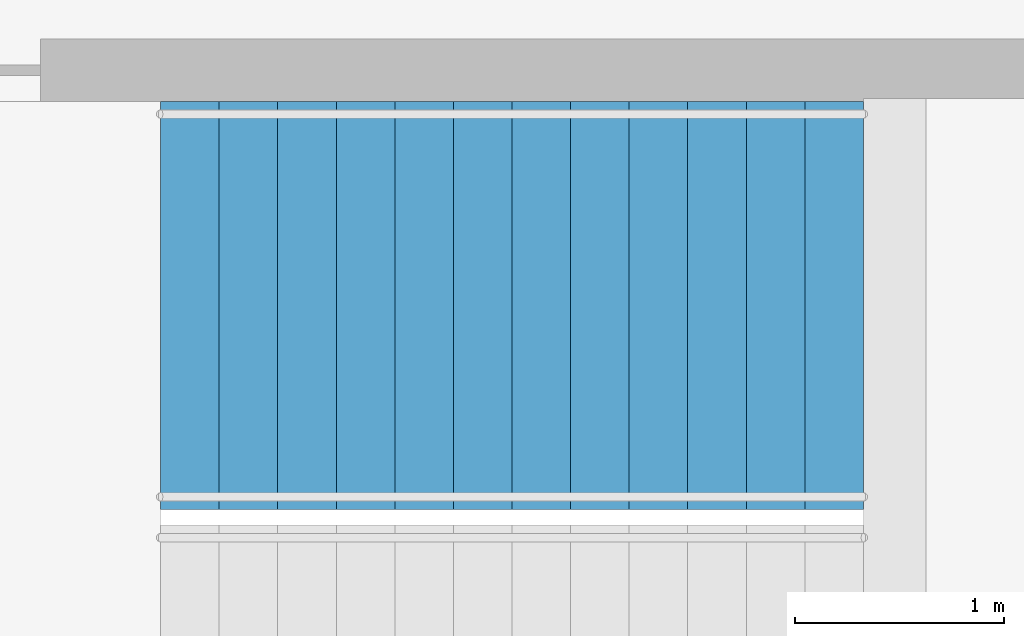
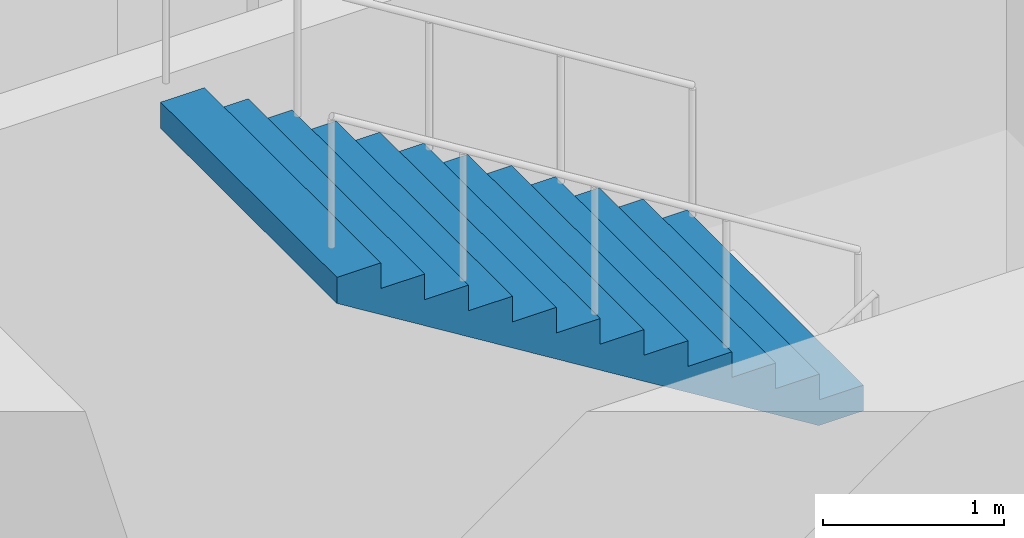
# One storey, part 19 of 31: 1 stair flight, 1 element without a shape of its own.
"""IFC4 building model written with IfcOpenShell, lengths in metres."""

from ifc_helpers import new_model, si_unit, direction, frame, origin, place, context, subcontext, project, spatial, triangles, material, type_object, element, aggregate, save


model = new_model("IFC4")

# Units and contexts
model_context = context("Model", 3, precision=1e-05, world=origin(), true_north=direction((0.0, 1.0)))
body_context = subcontext(model_context, "Body", "Model", "MODEL_VIEW")
ifc_project = project(units=[si_unit("LENGTHUNIT", "METRE"), si_unit("AREAUNIT", "SQUARE_METRE"), si_unit("VOLUMEUNIT", "CUBIC_METRE"), si_unit("PLANEANGLEUNIT", "RADIAN"), si_unit("MASSUNIT", "GRAM", prefix="KILO")], contexts=[model_context])

# Site, building, storey
site_placement = place(None, origin())
site = spatial("IfcSite", under=ifc_project, at=site_placement, CompositionType="ELEMENT")
building_placement = place(site_placement, origin())
building = spatial("IfcBuilding", under=site, at=building_placement, Name="Orbita Commons", CompositionType="ELEMENT")
storey_placement = place(building_placement, frame((0.0, 0.0, 76.14990234375)))
storey = spatial("IfcBuildingStorey", under=building, at=storey_placement, Name="L18", CompositionType="ELEMENT", Elevation=76.14990234375)

# Stair, stair flight
ifc_material_1 = material(Name="Precast concrete C40/50", Category="concrete")
stair_type = type_object("IfcStairType", Name="Exit stair S1 2 flights 13 risers 173", PredefinedType="HALF_TURN_STAIR", material=ifc_material_1)
stair_placement = place(storey_placement, origin())
stair = element("IfcStair", 1, at=stair_placement, inside=storey, type_object=stair_type, Name="Exit stair S1 L18", PredefinedType="HALF_TURN_STAIR")
ifc_material_2 = material(Name="Precast concrete C40/50", Category="concrete")
stair_flight_type = type_object("IfcStairFlightType", Name="Stair flight 13 risers 173 x 280", PredefinedType="STRAIGHT", material=ifc_material_2)
stair_flight_placement = place(storey_placement, frame((23.81005859375, 29.27490234375, 2.25), z_axis=(0.0, 0.0, 1.0), x_axis=(-1.0, 0.0, 0.0)))
stair_flight = element("IfcStairFlight", 2, at=stair_flight_placement, type_object=stair_flight_type, Name="S1 flight 2", NumberOfRisers=13, NumberOfTreads=12, PredefinedType="STRAIGHT", RiserHeight=0.173076923, TreadLength=0.28, context=body_context, shape_type="Tessellation", body=[
    triangles([(0.0, 0.974976, 0.0), (0.0, 0.974976, 0.021635), (0.0, 0.81248, 0.021635), (0.0, 0.81248, 0.0), (0.0, 0.649984, 0.021635), (0.0, 0.649984, 0.0), (0.0, 0.487488, 0.021635), (0.0, 0.487488, 0.0), (0.0, 0.324992, 0.021635), (0.0, 0.324992, 0.0), (0.0, 0.162496, 0.021635), (0.0, 0.162496, 0.0), (0.0, 0.0, 0.021635), (0.0, 0.0, 0.0), (0.0, -0.162496, 0.021635), (0.0, -0.162496, 0.0), (0.0, -0.324992, 0.021635), (0.0, -0.324992, 0.0), (0.0, -0.487488, 0.021635), (0.0, -0.487488, 0.0), (0.0, -0.649984, 0.021635), (0.0, -0.649984, 0.0), (0.0, -0.81248, 0.021635), (0.0, -0.81248, 0.0), (0.0, -0.974976, 0.021635), (0.0, -0.974976, 0.0), (0.0, 0.974976, 0.043269), (0.0, 0.81248, 0.043269), (0.0, 0.649984, 0.043269), (0.0, 0.487488, 0.043269), (0.0, 0.324992, 0.043269), (0.0, 0.162496, 0.043269), (0.0, 0.0, 0.043269), (0.0, -0.162496, 0.043269), (0.0, -0.324992, 0.043269), (0.0, -0.487488, 0.043269), (0.0, -0.649984, 0.043269), (0.0, -0.81248, 0.043269), (0.0, -0.974976, 0.043269), (0.0, 0.974976, 0.064904), (0.0, 0.81248, 0.064904), (0.0, 0.649984, 0.064904), (0.0, 0.487488, 0.064904), (0.0, 0.324992, 0.064904), (0.0, 0.162496, 0.064904), (0.0, 0.0, 0.064904), (0.0, -0.162496, 0.064904), (0.0, -0.324992, 0.064904), (0.0, -0.487488, 0.064904), (0.0, -0.649984, 0.064904), (0.0, -0.81248, 0.064904), (0.0, -0.974976, 0.064904), (0.0, 0.974976, 0.086538), (0.0, 0.81248, 0.086538), (0.0, 0.649984, 0.086538), (0.0, 0.487488, 0.086538), (0.0, 0.324992, 0.086538), (0.0, 0.162496, 0.086538), (0.0, 0.0, 0.086538), (0.0, -0.162496, 0.086538), (0.0, -0.324992, 0.086538), (0.0, -0.487488, 0.086538), (0.0, -0.649984, 0.086538), (0.0, -0.81248, 0.086538), (0.0, -0.974976, 0.086538), (0.0, 0.974976, 0.108173), (0.0, 0.81248, 0.108173), (0.0, 0.649984, 0.108173), (0.0, 0.487488, 0.108173), (0.0, 0.324992, 0.108173), (0.0, 0.162496, 0.108173), (0.0, 0.0, 0.108173), (0.0, -0.162496, 0.108173), (0.0, -0.324992, 0.108173), (0.0, -0.487488, 0.108173), (0.0, -0.649984, 0.108173), (0.0, -0.81248, 0.108173), (0.0, -0.974976, 0.108173), (0.0, 0.974976, 0.129808), (0.0, 0.81248, 0.129808), (0.0, 0.649984, 0.129808), (0.0, 0.487488, 0.129808), (0.0, 0.324992, 0.129808), (0.0, 0.162496, 0.129808), (0.0, 0.0, 0.129808), (0.0, -0.162496, 0.129808), (0.0, -0.324992, 0.129808), (0.0, -0.487488, 0.129808), (0.0, -0.649984, 0.129808), (0.0, -0.81248, 0.129808), (0.0, -0.974976, 0.129808), (0.0, 0.974976, 0.151442), (0.0, 0.81248, 0.151442), (0.0, 0.649984, 0.151442), (0.0, 0.487488, 0.151442), (0.0, 0.324992, 0.151442), (0.0, 0.162496, 0.151442), (0.0, 0.0, 0.151442), (0.0, -0.162496, 0.151442), (0.0, -0.324992, 0.151442), (0.0, -0.487488, 0.151442), (0.0, -0.649984, 0.151442), (0.0, -0.81248, 0.151442), (0.0, -0.974976, 0.151442), (0.0, 0.974976, 0.173077), (0.0, 0.81248, 0.173077), (0.0, 0.649984, 0.173077), (0.0, 0.487488, 0.173077), (0.0, 0.324992, 0.173077), (0.0, 0.162496, 0.173077), (0.0, 0.0, 0.173077), (0.0, -0.162496, 0.173077), (0.0, -0.324992, 0.173077), (0.0, -0.487488, 0.173077), (0.0, -0.649984, 0.173077), (0.0, -0.81248, 0.173077), (0.0, -0.974976, 0.173077), (0.28, 0.974976, 0.173077), (0.28, 0.81248, 0.173077), (0.28, 0.649984, 0.173077), (0.28, 0.487488, 0.173077), (0.28, 0.324992, 0.173077), (0.28, 0.162496, 0.173077), (0.28, 0.0, 0.173077), (0.28, -0.162496, 0.173077), (0.28, -0.324992, 0.173077), (0.28, -0.487488, 0.173077), (0.28, -0.649984, 0.173077), (0.28, -0.81248, 0.173077), (0.28, -0.974976, 0.173077), (0.28, 0.974976, 0.346154), (0.28, 0.81248, 0.346154), (0.28, 0.649984, 0.346154), (0.28, 0.487488, 0.346154), (0.28, 0.324992, 0.346154), (0.28, 0.162496, 0.346154), (0.28, 0.0, 0.346154), (0.28, -0.162496, 0.346154), (0.28, -0.324992, 0.346154), (0.28, -0.487488, 0.346154), (0.28, -0.649984, 0.346154), (0.28, -0.81248, 0.346154), (0.28, -0.974976, 0.346154), (0.56, 0.974976, 0.346154), (0.56, 0.81248, 0.346154), (0.56, 0.649984, 0.346154), (0.56, 0.487488, 0.346154), (0.56, 0.324992, 0.346154), (0.56, 0.162496, 0.346154), (0.56, 0.0, 0.346154), (0.56, -0.162496, 0.346154), (0.56, -0.324992, 0.346154), (0.56, -0.487488, 0.346154), (0.56, -0.649984, 0.346154), (0.56, -0.81248, 0.346154), (0.56, -0.974976, 0.346154), (0.56, 0.974976, 0.519231), (0.56, 0.81248, 0.519231), (0.56, 0.649984, 0.519231), (0.56, 0.487488, 0.519231), (0.56, 0.324992, 0.519231), (0.56, 0.162496, 0.519231), (0.56, 0.0, 0.519231), (0.56, -0.162496, 0.519231), (0.56, -0.324992, 0.519231), (0.56, -0.487488, 0.519231), (0.56, -0.649984, 0.519231), (0.56, -0.81248, 0.519231), (0.56, -0.974976, 0.519231), (0.84, 0.974976, 0.519231), (0.84, 0.81248, 0.519231), (0.84, 0.649984, 0.519231), (0.84, 0.487488, 0.519231), (0.84, 0.324992, 0.519231), (0.84, 0.162496, 0.519231), (0.84, 0.0, 0.519231), (0.84, -0.162496, 0.519231), (0.84, -0.324992, 0.519231), (0.84, -0.487488, 0.519231), (0.84, -0.649984, 0.519231), (0.84, -0.81248, 0.519231), (0.84, -0.974976, 0.519231), (0.84, 0.974976, 0.692308), (0.84, 0.81248, 0.692308), (0.84, 0.649984, 0.692308), (0.84, 0.487488, 0.692308), (0.84, 0.324992, 0.692308), (0.84, 0.162496, 0.692308), (0.84, 0.0, 0.692308), (0.84, -0.162496, 0.692308), (0.84, -0.324992, 0.692308), (0.84, -0.487488, 0.692308), (0.84, -0.649984, 0.692308), (0.84, -0.81248, 0.692308), (0.84, -0.974976, 0.692308), (1.12, 0.974976, 0.692308), (1.12, 0.81248, 0.692308), (1.12, 0.649984, 0.692308), (1.12, 0.487488, 0.692308), (1.12, 0.324992, 0.692308), (1.12, 0.162496, 0.692308), (1.12, 0.0, 0.692308), (1.12, -0.162496, 0.692308), (1.12, -0.324992, 0.692308), (1.12, -0.487488, 0.692308), (1.12, -0.649984, 0.692308), (1.12, -0.81248, 0.692308), (1.12, -0.974976, 0.692308), (1.12, 0.974976, 0.865385), (1.12, 0.81248, 0.865385), (1.12, 0.649984, 0.865385), (1.12, 0.487488, 0.865385), (1.12, 0.324992, 0.865385), (1.12, 0.162496, 0.865385), (1.12, 0.0, 0.865385), (1.12, -0.162496, 0.865385), (1.12, -0.324992, 0.865385), (1.12, -0.487488, 0.865385), (1.12, -0.649984, 0.865385), (1.12, -0.81248, 0.865385), (1.12, -0.974976, 0.865385), (1.4, 0.974976, 0.865385), (1.4, 0.81248, 0.865385), (1.4, 0.649984, 0.865385), (1.4, 0.487488, 0.865385), (1.4, 0.324992, 0.865385), (1.4, 0.162496, 0.865385), (1.4, 0.0, 0.865385), (1.4, -0.162496, 0.865385), (1.4, -0.324992, 0.865385), (1.4, -0.487488, 0.865385), (1.4, -0.649984, 0.865385), (1.4, -0.81248, 0.865385), (1.4, -0.974976, 0.865385), (1.4, 0.974976, 1.038462), (1.4, 0.81248, 1.038462), (1.4, 0.649984, 1.038462), (1.4, 0.487488, 1.038462), (1.4, 0.324992, 1.038462), (1.4, 0.162496, 1.038462), (1.4, 0.0, 1.038462), (1.4, -0.162496, 1.038462), (1.4, -0.324992, 1.038462), (1.4, -0.487488, 1.038462), (1.4, -0.649984, 1.038462), (1.4, -0.81248, 1.038462), (1.4, -0.974976, 1.038462), (1.68, 0.974976, 1.038462), (1.68, 0.81248, 1.038462), (1.68, 0.649984, 1.038462), (1.68, 0.487488, 1.038462), (1.68, 0.324992, 1.038462), (1.68, 0.162496, 1.038462), (1.68, 0.0, 1.038462), (1.68, -0.162496, 1.038462), (1.68, -0.324992, 1.038462), (1.68, -0.487488, 1.038462), (1.68, -0.649984, 1.038462), (1.68, -0.81248, 1.038462), (1.68, -0.974976, 1.038462), (1.68, 0.974976, 1.211538), (1.68, 0.81248, 1.211538), (1.68, 0.649984, 1.211538), (1.68, 0.487488, 1.211538), (1.68, 0.324992, 1.211538), (1.68, 0.162496, 1.211538), (1.68, 0.0, 1.211538), (1.68, -0.162496, 1.211538), (1.68, -0.324992, 1.211538), (1.68, -0.487488, 1.211538), (1.68, -0.649984, 1.211538), (1.68, -0.81248, 1.211538), (1.68, -0.974976, 1.211538), (1.96, 0.974976, 1.211538), (1.96, 0.81248, 1.211538), (1.96, 0.649984, 1.211538), (1.96, 0.487488, 1.211538), (1.96, 0.324992, 1.211538), (1.96, 0.162496, 1.211538), (1.96, 0.0, 1.211538), (1.96, -0.162496, 1.211538), (1.96, -0.324992, 1.211538), (1.96, -0.487488, 1.211538), (1.96, -0.649984, 1.211538), (1.96, -0.81248, 1.211538), (1.96, -0.974976, 1.211538), (1.96, 0.974976, 1.384615), (1.96, 0.81248, 1.384615), (1.96, 0.649984, 1.384615), (1.96, 0.487488, 1.384615), (1.96, 0.324992, 1.384615), (1.96, 0.162496, 1.384615), (1.96, 0.0, 1.384615), (1.96, -0.162496, 1.384615), (1.96, -0.324992, 1.384615), (1.96, -0.487488, 1.384615), (1.96, -0.649984, 1.384615), (1.96, -0.81248, 1.384615), (1.96, -0.974976, 1.384615), (2.24, 0.974976, 1.384615), (2.24, 0.81248, 1.384615), (2.24, 0.649984, 1.384615), (2.24, 0.487488, 1.384615), (2.24, 0.324992, 1.384615), (2.24, 0.162496, 1.384615), (2.24, 0.0, 1.384615), (2.24, -0.162496, 1.384615), (2.24, -0.324992, 1.384615), (2.24, -0.487488, 1.384615), (2.24, -0.649984, 1.384615), (2.24, -0.81248, 1.384615), (2.24, -0.974976, 1.384615), (2.24, 0.974976, 1.557692), (2.24, 0.81248, 1.557692), (2.24, 0.649984, 1.557692), (2.24, 0.487488, 1.557692), (2.24, 0.324992, 1.557692), (2.24, 0.162496, 1.557692), (2.24, 0.0, 1.557692), (2.24, -0.162496, 1.557692), (2.24, -0.324992, 1.557692), (2.24, -0.487488, 1.557692), (2.24, -0.649984, 1.557692), (2.24, -0.81248, 1.557692), (2.24, -0.974976, 1.557692), (2.52, 0.974976, 1.557692), (2.52, 0.81248, 1.557692), (2.52, 0.649984, 1.557692), (2.52, 0.487488, 1.557692), (2.52, 0.324992, 1.557692), (2.52, 0.162496, 1.557692), (2.52, 0.0, 1.557692), (2.52, -0.162496, 1.557692), (2.52, -0.324992, 1.557692), (2.52, -0.487488, 1.557692), (2.52, -0.649984, 1.557692), (2.52, -0.81248, 1.557692), (2.52, -0.974976, 1.557692), (2.52, 0.974976, 1.730769), (2.52, 0.81248, 1.730769), (2.52, 0.649984, 1.730769), (2.52, 0.487488, 1.730769), (2.52, 0.324992, 1.730769), (2.52, 0.162496, 1.730769), (2.52, 0.0, 1.730769), (2.52, -0.162496, 1.730769), (2.52, -0.324992, 1.730769), (2.52, -0.487488, 1.730769), (2.52, -0.649984, 1.730769), (2.52, -0.81248, 1.730769), (2.52, -0.974976, 1.730769), (2.8, 0.974976, 1.730769), (2.8, 0.81248, 1.730769), (2.8, 0.649984, 1.730769), (2.8, 0.487488, 1.730769), (2.8, 0.324992, 1.730769), (2.8, 0.162496, 1.730769), (2.8, 0.0, 1.730769), (2.8, -0.162496, 1.730769), (2.8, -0.324992, 1.730769), (2.8, -0.487488, 1.730769), (2.8, -0.649984, 1.730769), (2.8, -0.81248, 1.730769), (2.8, -0.974976, 1.730769), (2.8, 0.974976, 1.903846), (2.8, 0.81248, 1.903846), (2.8, 0.649984, 1.903846), (2.8, 0.487488, 1.903846), (2.8, 0.324992, 1.903846), (2.8, 0.162496, 1.903846), (2.8, 0.0, 1.903846), (2.8, -0.162496, 1.903846), (2.8, -0.324992, 1.903846), (2.8, -0.487488, 1.903846), (2.8, -0.649984, 1.903846), (2.8, -0.81248, 1.903846), (2.8, -0.974976, 1.903846), (3.08, 0.974976, 1.903846), (3.08, 0.81248, 1.903846), (3.08, 0.649984, 1.903846), (3.08, 0.487488, 1.903846), (3.08, 0.324992, 1.903846), (3.08, 0.162496, 1.903846), (3.08, 0.0, 1.903846), (3.08, -0.162496, 1.903846), (3.08, -0.324992, 1.903846), (3.08, -0.487488, 1.903846), (3.08, -0.649984, 1.903846), (3.08, -0.81248, 1.903846), (3.08, -0.974976, 1.903846), (3.08, 0.974976, 2.076923), (3.08, 0.81248, 2.076923), (3.08, 0.649984, 2.076923), (3.08, 0.487488, 2.076923), (3.08, 0.324992, 2.076923), (3.08, 0.162496, 2.076923), (3.08, 0.0, 2.076923), (3.08, -0.162496, 2.076923), (3.08, -0.324992, 2.076923), (3.08, -0.487488, 2.076923), (3.08, -0.649984, 2.076923), (3.08, -0.81248, 2.076923), (3.08, -0.974976, 2.076923), (3.36, 0.974976, 2.076923), (3.36, 0.81248, 2.076923), (3.36, 0.649984, 2.076923), (3.36, 0.487488, 2.076923), (3.36, 0.324992, 2.076923), (3.36, 0.162496, 2.076923), (3.36, 0.0, 2.076923), (3.36, -0.162496, 2.076923), (3.36, -0.324992, 2.076923), (3.36, -0.487488, 2.076923), (3.36, -0.649984, 2.076923), (3.36, -0.81248, 2.076923), (3.36, -0.974976, 2.076923), (3.36, 0.974976, 2.054895), (3.36, 0.81248, 2.054895), (3.36, 0.649984, 2.054895), (3.36, 0.487488, 2.054895), (3.36, 0.324992, 2.054895), (3.36, 0.162496, 2.054895), (3.36, 0.0, 2.054895), (3.36, -0.162496, 2.054895), (3.36, -0.324992, 2.054895), (3.36, -0.487488, 2.054895), (3.36, -0.649984, 2.054895), (3.36, -0.81248, 2.054895), (3.36, -0.974976, 2.054895), (3.36, 0.974976, 2.032866), (3.36, 0.81248, 2.032866), (3.36, 0.649984, 2.032866), (3.36, 0.487488, 2.032866), (3.36, 0.324992, 2.032866), (3.36, 0.162496, 2.032866), (3.36, 0.0, 2.032866), (3.36, -0.162496, 2.032866), (3.36, -0.324992, 2.032866), (3.36, -0.487488, 2.032866), (3.36, -0.649984, 2.032866), (3.36, -0.81248, 2.032866), (3.36, -0.974976, 2.032866), (3.36, 0.974976, 2.010837), (3.36, 0.81248, 2.010837), (3.36, 0.649984, 2.010837), (3.36, 0.487488, 2.010837), (3.36, 0.324992, 2.010837), (3.36, 0.162496, 2.010837), (3.36, 0.0, 2.010837), (3.36, -0.162496, 2.010837), (3.36, -0.324992, 2.010837), (3.36, -0.487488, 2.010837), (3.36, -0.649984, 2.010837), (3.36, -0.81248, 2.010837), (3.36, -0.974976, 2.010837), (3.36, 0.974976, 1.988809), (3.36, 0.81248, 1.988809), (3.36, 0.649984, 1.988809), (3.36, 0.487488, 1.988809), (3.36, 0.324992, 1.988809), (3.36, 0.162496, 1.988809), (3.36, 0.0, 1.988809), (3.36, -0.162496, 1.988809), (3.36, -0.324992, 1.988809), (3.36, -0.487488, 1.988809), (3.36, -0.649984, 1.988809), (3.36, -0.81248, 1.988809), (3.36, -0.974976, 1.988809), (3.36, 0.974976, 1.96678), (3.36, 0.81248, 1.96678), (3.36, 0.649984, 1.96678), (3.36, 0.487488, 1.96678), (3.36, 0.324992, 1.96678), (3.36, 0.162496, 1.96678), (3.36, 0.0, 1.96678), (3.36, -0.162496, 1.96678), (3.36, -0.324992, 1.96678), (3.36, -0.487488, 1.96678), (3.36, -0.649984, 1.96678), (3.36, -0.81248, 1.96678), (3.36, -0.974976, 1.96678), (3.36, 0.974976, 1.944752), (3.36, 0.81248, 1.944752), (3.36, 0.649984, 1.944752), (3.36, 0.487488, 1.944752), (3.36, 0.324992, 1.944752), (3.36, 0.162496, 1.944752), (3.36, 0.0, 1.944752), (3.36, -0.162496, 1.944752), (3.36, -0.324992, 1.944752), (3.36, -0.487488, 1.944752), (3.36, -0.649984, 1.944752), (3.36, -0.81248, 1.944752), (3.36, -0.974976, 1.944752), (3.36, 0.974976, 1.922723), (3.36, 0.81248, 1.922723), (3.36, 0.649984, 1.922723), (3.36, 0.487488, 1.922723), (3.36, 0.324992, 1.922723), (3.36, 0.162496, 1.922723), (3.36, 0.0, 1.922723), (3.36, -0.162496, 1.922723), (3.36, -0.324992, 1.922723), (3.36, -0.487488, 1.922723), (3.36, -0.649984, 1.922723), (3.36, -0.81248, 1.922723), (3.36, -0.974976, 1.922723), (3.36, 0.974976, 1.900695), (3.36, 0.81248, 1.900695), (3.36, 0.649984, 1.900695), (3.36, 0.487488, 1.900695), (3.36, 0.324992, 1.900695), (3.36, 0.162496, 1.900695), (3.36, 0.0, 1.900695), (3.36, -0.162496, 1.900695), (3.36, -0.324992, 1.900695), (3.36, -0.487488, 1.900695), (3.36, -0.649984, 1.900695), (3.36, -0.81248, 1.900695), (3.36, -0.974976, 1.900695), (0.285099, 0.974976, 0.0), (0.285099, 0.81248, 0.0), (0.285099, 0.649984, 0.0), (0.285099, 0.487488, 0.0), (0.285099, 0.324992, 0.0), (0.285099, 0.162496, 0.0), (0.285099, 0.0, 0.0), (0.285099, -0.162496, 0.0), (0.285099, -0.324992, 0.0), (0.285099, -0.487488, 0.0), (0.285099, -0.649984, 0.0), (0.285099, -0.81248, 0.0), (0.285099, -0.974976, 0.0)], [[3, 2, 1], [4, 3, 1], [5, 3, 4], [6, 5, 4], [7, 5, 6], [8, 7, 6], [9, 7, 8], [10, 9, 8], [11, 9, 10], [12, 11, 10], [13, 11, 12], [14, 13, 12], [15, 13, 14], [16, 15, 14], [17, 15, 16], [18, 17, 16], [19, 17, 18], [20, 19, 18], [21, 19, 20], [22, 21, 20], [23, 21, 22], [24, 23, 22], [25, 23, 24], [26, 25, 24], [28, 27, 2], [3, 28, 2], [29, 28, 3], [5, 29, 3], [30, 29, 5], [7, 30, 5], [31, 30, 7], [9, 31, 7], [32, 31, 9], [11, 32, 9], [33, 32, 11], [13, 33, 11], [34, 33, 13], [15, 34, 13], [35, 34, 15], [17, 35, 15], [36, 35, 17], [19, 36, 17], [37, 36, 19], [21, 37, 19], [38, 37, 21], [23, 38, 21], [39, 38, 23], [25, 39, 23], [41, 40, 27], [28, 41, 27], [42, 41, 28], [29, 42, 28], [43, 42, 29], [30, 43, 29], [44, 43, 30], [31, 44, 30], [45, 44, 31], [32, 45, 31], [46, 45, 32], [33, 46, 32], [47, 46, 33], [34, 47, 33], [48, 47, 34], [35, 48, 34], [49, 48, 35], [36, 49, 35], [50, 49, 36], [37, 50, 36], [51, 50, 37], [38, 51, 37], [52, 51, 38], [39, 52, 38], [54, 53, 40], [41, 54, 40], [55, 54, 41], [42, 55, 41], [56, 55, 42], [43, 56, 42], [57, 56, 43], [44, 57, 43], [58, 57, 44], [45, 58, 44], [59, 58, 45], [46, 59, 45], [60, 59, 46], [47, 60, 46], [61, 60, 47], [48, 61, 47], [62, 61, 48], [49, 62, 48], [63, 62, 49], [50, 63, 49], [64, 63, 50], [51, 64, 50], [65, 64, 51], [52, 65, 51], [67, 66, 53], [54, 67, 53], [68, 67, 54], [55, 68, 54], [69, 68, 55], [56, 69, 55], [70, 69, 56], [57, 70, 56], [71, 70, 57], [58, 71, 57], [72, 71, 58], [59, 72, 58], [73, 72, 59], [60, 73, 59], [74, 73, 60], [61, 74, 60], [75, 74, 61], [62, 75, 61], [76, 75, 62], [63, 76, 62], [77, 76, 63], [64, 77, 63], [78, 77, 64], [65, 78, 64], [80, 79, 66], [67, 80, 66], [81, 80, 67], [68, 81, 67], [82, 81, 68], [69, 82, 68], [83, 82, 69], [70, 83, 69], [84, 83, 70], [71, 84, 70], [85, 84, 71], [72, 85, 71], [86, 85, 72], [73, 86, 72], [87, 86, 73], [74, 87, 73], [88, 87, 74], [75, 88, 74], [89, 88, 75], [76, 89, 75], [90, 89, 76], [77, 90, 76], [91, 90, 77], [78, 91, 77], [93, 92, 79], [80, 93, 79], [94, 93, 80], [81, 94, 80], [95, 94, 81], [82, 95, 81], [96, 95, 82], [83, 96, 82], [97, 96, 83], [84, 97, 83], [98, 97, 84], [85, 98, 84], [99, 98, 85], [86, 99, 85], [100, 99, 86], [87, 100, 86], [101, 100, 87], [88, 101, 87], [102, 101, 88], [89, 102, 88], [103, 102, 89], [90, 103, 89], [104, 103, 90], [91, 104, 90], [106, 105, 92], [93, 106, 92], [107, 106, 93], [94, 107, 93], [108, 107, 94], [95, 108, 94], [109, 108, 95], [96, 109, 95], [110, 109, 96], [97, 110, 96], [111, 110, 97], [98, 111, 97], [112, 111, 98], [99, 112, 98], [113, 112, 99], [100, 113, 99], [114, 113, 100], [101, 114, 100], [115, 114, 101], [102, 115, 101], [116, 115, 102], [103, 116, 102], [117, 116, 103], [104, 117, 103], [119, 118, 105], [106, 119, 105], [120, 119, 106], [107, 120, 106], [121, 120, 107], [108, 121, 107], [122, 121, 108], [109, 122, 108], [123, 122, 109], [110, 123, 109], [124, 123, 110], [111, 124, 110], [125, 124, 111], [112, 125, 111], [126, 125, 112], [113, 126, 112], [127, 126, 113], [114, 127, 113], [128, 127, 114], [115, 128, 114], [129, 128, 115], [116, 129, 115], [130, 129, 116], [117, 130, 116], [132, 131, 118], [119, 132, 118], [133, 132, 119], [120, 133, 119], [134, 133, 120], [121, 134, 120], [135, 134, 121], [122, 135, 121], [136, 135, 122], [123, 136, 122], [137, 136, 123], [124, 137, 123], [138, 137, 124], [125, 138, 124], [139, 138, 125], [126, 139, 125], [140, 139, 126], [127, 140, 126], [141, 140, 127], [128, 141, 127], [142, 141, 128], [129, 142, 128], [143, 142, 129], [130, 143, 129], [145, 144, 131], [132, 145, 131], [146, 145, 132], [133, 146, 132], [147, 146, 133], [134, 147, 133], [148, 147, 134], [135, 148, 134], [149, 148, 135], [136, 149, 135], [150, 149, 136], [137, 150, 136], [151, 150, 137], [138, 151, 137], [152, 151, 138], [139, 152, 138], [153, 152, 139], [140, 153, 139], [154, 153, 140], [141, 154, 140], [155, 154, 141], [142, 155, 141], [156, 155, 142], [143, 156, 142], [158, 157, 144], [145, 158, 144], [159, 158, 145], [146, 159, 145], [160, 159, 146], [147, 160, 146], [161, 160, 147], [148, 161, 147], [162, 161, 148], [149, 162, 148], [163, 162, 149], [150, 163, 149], [164, 163, 150], [151, 164, 150], [165, 164, 151], [152, 165, 151], [166, 165, 152], [153, 166, 152], [167, 166, 153], [154, 167, 153], [168, 167, 154], [155, 168, 154], [169, 168, 155], [156, 169, 155], [171, 170, 157], [158, 171, 157], [172, 171, 158], [159, 172, 158], [173, 172, 159], [160, 173, 159], [174, 173, 160], [161, 174, 160], [175, 174, 161], [162, 175, 161], [176, 175, 162], [163, 176, 162], [177, 176, 163], [164, 177, 163], [178, 177, 164], [165, 178, 164], [179, 178, 165], [166, 179, 165], [180, 179, 166], [167, 180, 166], [181, 180, 167], [168, 181, 167], [182, 181, 168], [169, 182, 168], [184, 183, 170], [171, 184, 170], [185, 184, 171], [172, 185, 171], [186, 185, 172], [173, 186, 172], [187, 186, 173], [174, 187, 173], [188, 187, 174], [175, 188, 174], [189, 188, 175], [176, 189, 175], [190, 189, 176], [177, 190, 176], [191, 190, 177], [178, 191, 177], [192, 191, 178], [179, 192, 178], [193, 192, 179], [180, 193, 179], [194, 193, 180], [181, 194, 180], [195, 194, 181], [182, 195, 181], [197, 196, 183], [184, 197, 183], [198, 197, 184], [185, 198, 184], [199, 198, 185], [186, 199, 185], [200, 199, 186], [187, 200, 186], [201, 200, 187], [188, 201, 187], [202, 201, 188], [189, 202, 188], [203, 202, 189], [190, 203, 189], [204, 203, 190], [191, 204, 190], [205, 204, 191], [192, 205, 191], [206, 205, 192], [193, 206, 192], [207, 206, 193], [194, 207, 193], [208, 207, 194], [195, 208, 194], [210, 209, 196], [197, 210, 196], [211, 210, 197], [198, 211, 197], [212, 211, 198], [199, 212, 198], [213, 212, 199], [200, 213, 199], [214, 213, 200], [201, 214, 200], [215, 214, 201], [202, 215, 201], [216, 215, 202], [203, 216, 202], [217, 216, 203], [204, 217, 203], [218, 217, 204], [205, 218, 204], [219, 218, 205], [206, 219, 205], [220, 219, 206], [207, 220, 206], [221, 220, 207], [208, 221, 207], [223, 222, 209], [210, 223, 209], [224, 223, 210], [211, 224, 210], [225, 224, 211], [212, 225, 211], [226, 225, 212], [213, 226, 212], [227, 226, 213], [214, 227, 213], [228, 227, 214], [215, 228, 214], [229, 228, 215], [216, 229, 215], [230, 229, 216], [217, 230, 216], [231, 230, 217], [218, 231, 217], [232, 231, 218], [219, 232, 218], [233, 232, 219], [220, 233, 219], [234, 233, 220], [221, 234, 220], [236, 235, 222], [223, 236, 222], [237, 236, 223], [224, 237, 223], [238, 237, 224], [225, 238, 224], [239, 238, 225], [226, 239, 225], [240, 239, 226], [227, 240, 226], [241, 240, 227], [228, 241, 227], [242, 241, 228], [229, 242, 228], [243, 242, 229], [230, 243, 229], [244, 243, 230], [231, 244, 230], [245, 244, 231], [232, 245, 231], [246, 245, 232], [233, 246, 232], [247, 246, 233], [234, 247, 233], [249, 248, 235], [236, 249, 235], [250, 249, 236], [237, 250, 236], [251, 250, 237], [238, 251, 237], [252, 251, 238], [239, 252, 238], [253, 252, 239], [240, 253, 239], [254, 253, 240], [241, 254, 240], [255, 254, 241], [242, 255, 241], [256, 255, 242], [243, 256, 242], [257, 256, 243], [244, 257, 243], [258, 257, 244], [245, 258, 244], [259, 258, 245], [246, 259, 245], [260, 259, 246], [247, 260, 246], [262, 261, 248], [249, 262, 248], [263, 262, 249], [250, 263, 249], [264, 263, 250], [251, 264, 250], [265, 264, 251], [252, 265, 251], [266, 265, 252], [253, 266, 252], [267, 266, 253], [254, 267, 253], [268, 267, 254], [255, 268, 254], [269, 268, 255], [256, 269, 255], [270, 269, 256], [257, 270, 256], [271, 270, 257], [258, 271, 257], [272, 271, 258], [259, 272, 258], [273, 272, 259], [260, 273, 259], [275, 274, 261], [262, 275, 261], [276, 275, 262], [263, 276, 262], [277, 276, 263], [264, 277, 263], [278, 277, 264], [265, 278, 264], [279, 278, 265], [266, 279, 265], [280, 279, 266], [267, 280, 266], [281, 280, 267], [268, 281, 267], [282, 281, 268], [269, 282, 268], [283, 282, 269], [270, 283, 269], [284, 283, 270], [271, 284, 270], [285, 284, 271], [272, 285, 271], [286, 285, 272], [273, 286, 272], [288, 287, 274], [275, 288, 274], [289, 288, 275], [276, 289, 275], [290, 289, 276], [277, 290, 276], [291, 290, 277], [278, 291, 277], [292, 291, 278], [279, 292, 278], [293, 292, 279], [280, 293, 279], [294, 293, 280], [281, 294, 280], [295, 294, 281], [282, 295, 281], [296, 295, 282], [283, 296, 282], [297, 296, 283], [284, 297, 283], [298, 297, 284], [285, 298, 284], [299, 298, 285], [286, 299, 285], [301, 300, 287], [288, 301, 287], [302, 301, 288], [289, 302, 288], [303, 302, 289], [290, 303, 289], [304, 303, 290], [291, 304, 290], [305, 304, 291], [292, 305, 291], [306, 305, 292], [293, 306, 292], [307, 306, 293], [294, 307, 293], [308, 307, 294], [295, 308, 294], [309, 308, 295], [296, 309, 295], [310, 309, 296], [297, 310, 296], [311, 310, 297], [298, 311, 297], [312, 311, 298], [299, 312, 298], [314, 313, 300], [301, 314, 300], [315, 314, 301], [302, 315, 301], [316, 315, 302], [303, 316, 302], [317, 316, 303], [304, 317, 303], [318, 317, 304], [305, 318, 304], [319, 318, 305], [306, 319, 305], [320, 319, 306], [307, 320, 306], [321, 320, 307], [308, 321, 307], [322, 321, 308], [309, 322, 308], [323, 322, 309], [310, 323, 309], [324, 323, 310], [311, 324, 310], [325, 324, 311], [312, 325, 311], [327, 326, 313], [314, 327, 313], [328, 327, 314], [315, 328, 314], [329, 328, 315], [316, 329, 315], [330, 329, 316], [317, 330, 316], [331, 330, 317], [318, 331, 317], [332, 331, 318], [319, 332, 318], [333, 332, 319], [320, 333, 319], [334, 333, 320], [321, 334, 320], [335, 334, 321], [322, 335, 321], [336, 335, 322], [323, 336, 322], [337, 336, 323], [324, 337, 323], [338, 337, 324], [325, 338, 324], [340, 339, 326], [327, 340, 326], [341, 340, 327], [328, 341, 327], [342, 341, 328], [329, 342, 328], [343, 342, 329], [330, 343, 329], [344, 343, 330], [331, 344, 330], [345, 344, 331], [332, 345, 331], [346, 345, 332], [333, 346, 332], [347, 346, 333], [334, 347, 333], [348, 347, 334], [335, 348, 334], [349, 348, 335], [336, 349, 335], [350, 349, 336], [337, 350, 336], [351, 350, 337], [338, 351, 337], [353, 352, 339], [340, 353, 339], [354, 353, 340], [341, 354, 340], [355, 354, 341], [342, 355, 341], [356, 355, 342], [343, 356, 342], [357, 356, 343], [344, 357, 343], [358, 357, 344], [345, 358, 344], [359, 358, 345], [346, 359, 345], [360, 359, 346], [347, 360, 346], [361, 360, 347], [348, 361, 347], [362, 361, 348], [349, 362, 348], [363, 362, 349], [350, 363, 349], [364, 363, 350], [351, 364, 350], [366, 365, 352], [353, 366, 352], [367, 366, 353], [354, 367, 353], [368, 367, 354], [355, 368, 354], [369, 368, 355], [356, 369, 355], [370, 369, 356], [357, 370, 356], [371, 370, 357], [358, 371, 357], [372, 371, 358], [359, 372, 358], [373, 372, 359], [360, 373, 359], [374, 373, 360], [361, 374, 360], [375, 374, 361], [362, 375, 361], [376, 375, 362], [363, 376, 362], [377, 376, 363], [364, 377, 363], [379, 378, 365], [366, 379, 365], [380, 379, 366], [367, 380, 366], [381, 380, 367], [368, 381, 367], [382, 381, 368], [369, 382, 368], [383, 382, 369], [370, 383, 369], [384, 383, 370], [371, 384, 370], [385, 384, 371], [372, 385, 371], [386, 385, 372], [373, 386, 372], [387, 386, 373], [374, 387, 373], [388, 387, 374], [375, 388, 374], [389, 388, 375], [376, 389, 375], [390, 389, 376], [377, 390, 376], [392, 391, 378], [379, 392, 378], [393, 392, 379], [380, 393, 379], [394, 393, 380], [381, 394, 380], [395, 394, 381], [382, 395, 381], [396, 395, 382], [383, 396, 382], [397, 396, 383], [384, 397, 383], [398, 397, 384], [385, 398, 384], [399, 398, 385], [386, 399, 385], [400, 399, 386], [387, 400, 386], [401, 400, 387], [388, 401, 387], [402, 401, 388], [389, 402, 388], [403, 402, 389], [390, 403, 389], [405, 404, 391], [392, 405, 391], [406, 405, 392], [393, 406, 392], [407, 406, 393], [394, 407, 393], [408, 407, 394], [395, 408, 394], [409, 408, 395], [396, 409, 395], [410, 409, 396], [397, 410, 396], [411, 410, 397], [398, 411, 397], [412, 411, 398], [399, 412, 398], [413, 412, 399], [400, 413, 399], [414, 413, 400], [401, 414, 400], [415, 414, 401], [402, 415, 401], [416, 415, 402], [403, 416, 402], [418, 417, 404], [405, 418, 404], [419, 418, 405], [406, 419, 405], [420, 419, 406], [407, 420, 406], [421, 420, 407], [408, 421, 407], [422, 421, 408], [409, 422, 408], [423, 422, 409], [410, 423, 409], [424, 423, 410], [411, 424, 410], [425, 424, 411], [412, 425, 411], [426, 425, 412], [413, 426, 412], [427, 426, 413], [414, 427, 413], [428, 427, 414], [415, 428, 414], [429, 428, 415], [416, 429, 415], [431, 430, 417], [418, 431, 417], [432, 431, 418], [419, 432, 418], [433, 432, 419], [420, 433, 419], [434, 433, 420], [421, 434, 420], [435, 434, 421], [422, 435, 421], [436, 435, 422], [423, 436, 422], [437, 436, 423], [424, 437, 423], [438, 437, 424], [425, 438, 424], [439, 438, 425], [426, 439, 425], [440, 439, 426], [427, 440, 426], [441, 440, 427], [428, 441, 427], [442, 441, 428], [429, 442, 428], [444, 443, 430], [431, 444, 430], [445, 444, 431], [432, 445, 431], [446, 445, 432], [433, 446, 432], [447, 446, 433], [434, 447, 433], [448, 447, 434], [435, 448, 434], [449, 448, 435], [436, 449, 435], [450, 449, 436], [437, 450, 436], [451, 450, 437], [438, 451, 437], [452, 451, 438], [439, 452, 438], [453, 452, 439], [440, 453, 439], [454, 453, 440], [441, 454, 440], [455, 454, 441], [442, 455, 441], [457, 456, 443], [444, 457, 443], [458, 457, 444], [445, 458, 444], [459, 458, 445], [446, 459, 445], [460, 459, 446], [447, 460, 446], [461, 460, 447], [448, 461, 447], [462, 461, 448], [449, 462, 448], [463, 462, 449], [450, 463, 449], [464, 463, 450], [451, 464, 450], [465, 464, 451], [452, 465, 451], [466, 465, 452], [453, 466, 452], [467, 466, 453], [454, 467, 453], [468, 467, 454], [455, 468, 454], [470, 469, 456], [457, 470, 456], [471, 470, 457], [458, 471, 457], [472, 471, 458], [459, 472, 458], [473, 472, 459], [460, 473, 459], [474, 473, 460], [461, 474, 460], [475, 474, 461], [462, 475, 461], [476, 475, 462], [463, 476, 462], [477, 476, 463], [464, 477, 463], [478, 477, 464], [465, 478, 464], [479, 478, 465], [466, 479, 465], [480, 479, 466], [467, 480, 466], [481, 480, 467], [468, 481, 467], [483, 482, 469], [470, 483, 469], [484, 483, 470], [471, 484, 470], [485, 484, 471], [472, 485, 471], [486, 485, 472], [473, 486, 472], [487, 486, 473], [474, 487, 473], [488, 487, 474], [475, 488, 474], [489, 488, 475], [476, 489, 475], [490, 489, 476], [477, 490, 476], [491, 490, 477], [478, 491, 477], [492, 491, 478], [479, 492, 478], [493, 492, 479], [480, 493, 479], [494, 493, 480], [481, 494, 480], [496, 495, 482], [483, 496, 482], [497, 496, 483], [484, 497, 483], [498, 497, 484], [485, 498, 484], [499, 498, 485], [486, 499, 485], [500, 499, 486], [487, 500, 486], [501, 500, 487], [488, 501, 487], [502, 501, 488], [489, 502, 488], [503, 502, 489], [490, 503, 489], [504, 503, 490], [491, 504, 490], [505, 504, 491], [492, 505, 491], [506, 505, 492], [493, 506, 492], [507, 506, 493], [494, 507, 493], [509, 508, 495], [496, 509, 495], [510, 509, 496], [497, 510, 496], [511, 510, 497], [498, 511, 497], [512, 511, 498], [499, 512, 498], [513, 512, 499], [500, 513, 499], [514, 513, 500], [501, 514, 500], [515, 514, 501], [502, 515, 501], [516, 515, 502], [503, 516, 502], [517, 516, 503], [504, 517, 503], [518, 517, 504], [505, 518, 504], [519, 518, 505], [506, 519, 505], [520, 519, 506], [507, 520, 506], [522, 521, 508], [509, 522, 508], [523, 522, 509], [510, 523, 509], [524, 523, 510], [511, 524, 510], [525, 524, 511], [512, 525, 511], [526, 525, 512], [513, 526, 512], [527, 526, 513], [514, 527, 513], [528, 527, 514], [515, 528, 514], [529, 528, 515], [516, 529, 515], [530, 529, 516], [517, 530, 516], [531, 530, 517], [518, 531, 517], [532, 531, 518], [519, 532, 518], [533, 532, 519], [520, 533, 519], [4, 1, 521], [522, 4, 521], [6, 4, 522], [523, 6, 522], [8, 6, 523], [524, 8, 523], [10, 8, 524], [525, 10, 524], [12, 10, 525], [526, 12, 525], [14, 12, 526], [527, 14, 526], [16, 14, 527], [528, 16, 527], [18, 16, 528], [529, 18, 528], [20, 18, 529], [530, 20, 529], [22, 20, 530], [531, 22, 530], [24, 22, 531], [532, 24, 531], [26, 24, 532], [533, 26, 532], [508, 521, 1], [26, 533, 520], [495, 508, 1], [26, 520, 507], [482, 495, 1], [26, 507, 494], [469, 482, 1], [26, 494, 481], [456, 469, 1], [26, 481, 468], [443, 456, 1], [26, 468, 455], [430, 443, 1], [26, 455, 442], [417, 430, 1], [26, 442, 429], [391, 404, 417], [429, 416, 403], [378, 391, 417], [429, 403, 390], [352, 365, 378], [390, 377, 364], [352, 378, 417], [429, 390, 364], [326, 339, 352], [364, 351, 338], [326, 352, 417], [429, 364, 338], [300, 313, 326], [338, 325, 312], [300, 326, 417], [429, 338, 312], [274, 287, 300], [312, 299, 286], [274, 300, 417], [429, 312, 286], [248, 261, 274], [286, 273, 260], [248, 274, 417], [429, 286, 260], [222, 235, 248], [260, 247, 234], [222, 248, 417], [429, 260, 234], [196, 209, 222], [234, 221, 208], [196, 222, 417], [429, 234, 208], [170, 183, 196], [208, 195, 182], [170, 196, 417], [429, 208, 182], [144, 157, 170], [182, 169, 156], [144, 170, 417], [429, 182, 156], [118, 131, 144], [156, 143, 130], [118, 144, 417], [429, 156, 130], [118, 417, 1], [26, 429, 130], [92, 105, 118], [130, 117, 104], [79, 92, 118], [130, 104, 91], [66, 79, 118], [130, 91, 78], [53, 66, 118], [130, 78, 65], [40, 53, 118], [130, 65, 52], [27, 40, 118], [130, 52, 39], [2, 27, 118], [130, 39, 25], [1, 2, 118], [130, 25, 26]], closed=True),
])
aggregate(stair, [stair_flight])

save(model, "model.ifc")
